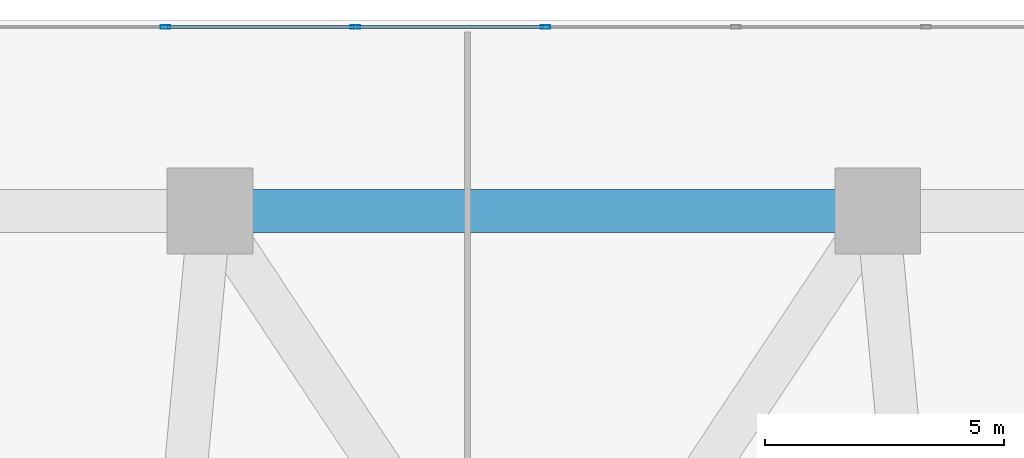
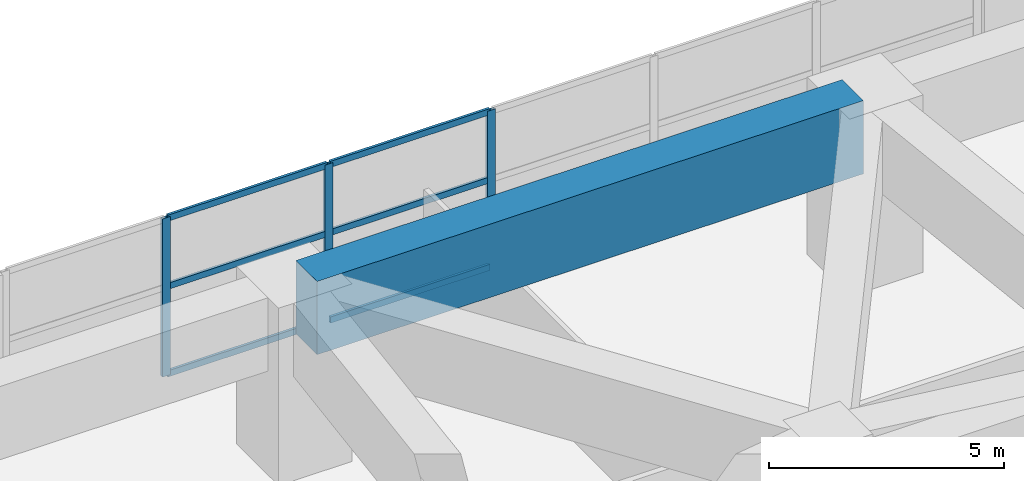
# One storey, part 14 of 27: 9 members, 1 beam, 1 element without a shape of its own.
"""IFC4 building model written with IfcOpenShell, lengths in metres."""

from ifc_helpers import new_model, si_unit, direction, frame, origin, origin_2d, place, context, subcontext, project, spatial, rectangle, hollow_rectangle, extrude, material, layer, layer_set, material_profile, profile_set, type_object, element, aggregate, save


model = new_model("IFC4")

# Units and contexts
model_context = context("Model", 3, precision=1e-05, world=origin(), true_north=direction((0.0, 1.0)))
body_context = subcontext(model_context, "Body", "Model", "MODEL_VIEW")
ifc_project = project(units=[si_unit("LENGTHUNIT", "METRE"), si_unit("AREAUNIT", "SQUARE_METRE"), si_unit("VOLUMEUNIT", "CUBIC_METRE"), si_unit("PLANEANGLEUNIT", "RADIAN"), si_unit("MASSUNIT", "GRAM", prefix="KILO")], contexts=[model_context])

# Site, building, storey
site_placement = place(None, origin())
site = spatial("IfcSite", under=ifc_project, at=site_placement, CompositionType="ELEMENT")
building_placement = place(site_placement, origin())
building = spatial("IfcBuilding", under=site, at=building_placement, Name="Solvane Sanctuary Tower", CompositionType="ELEMENT")
storey_placement = place(building_placement, frame((0.0, 0.0, 23.0)))
storey = spatial("IfcBuildingStorey", under=building, at=storey_placement, Name="L06", CompositionType="ELEMENT", Elevation=23.0)

# Beam
ifc_material_1 = material(Name="Concrete C60/75", Category="concrete")
ifc_material_profile_1 = material_profile(ifc_material_1, rectangle(XDim=0.89990234375, YDim=1.89990234375, at=origin_2d()), Name="RC900X1900")
ifc_profile_set_1 = profile_set([ifc_material_profile_1], Name="Concrete C60/75")
beam_type = type_object("IfcBeamType", Name="Beam B-XFER-POD RC900X1900", PredefinedType="BEAM", material=ifc_profile_set_1)
beam_placement = place(storey_placement, frame((38.699951171875, 42.0, 3.64990234375), z_axis=(-1.0, 0.0, 0.0), x_axis=(0.0, -1.0, 0.0)))
element("IfcBeam", 1, at=beam_placement, inside=storey, type_object=beam_type, Name="L06 Podium Transfer Girder XP06", PredefinedType="BEAM", context=body_context, shape_type="SweptSolid", body=[
    extrude(rectangle(XDim=0.89990234375, YDim=1.89990234375, at=origin_2d()), origin(), (0.0, 0.0, 1.0), 13.39990234375),
])

# Curtain wall, members
ifc_material_2 = material(Name="Anodised Aluminium 6063-T6", Category="aluminium")
ifc_layer = layer(ifc_material_2, 0.159912109375, Name="Anodised Aluminium 6063-T6")
ifc_layer_set = layer_set([ifc_layer], Name="Anodised Aluminium 6063-T6")
curtain_wall_type = type_object("IfcCurtainWallType", Name="Curtain Wall CW-POD", PredefinedType="NOTDEFINED", material=ifc_layer_set)
curtain_wall_placement = place(storey_placement, origin())
curtain_wall = element("IfcCurtainWall", 2, at=curtain_wall_placement, inside=storey, type_object=curtain_wall_type, Name="L06 Sanctuary Curtain Wall N2", PredefinedType="NOTDEFINED")
ifc_material_profile_2 = material_profile(ifc_material_2, hollow_rectangle(XDim=0.074951171875, YDim=0.199951171875, WallThickness=0.00390625, at=origin_2d()), Name="ALU200X75X4")
ifc_profile_set_2 = profile_set([ifc_material_profile_2], Name="Anodised Aluminium 6063-T6")
member_type_1 = type_object("IfcMemberType", Name="Member M-CW-MUL-1 ALU200X75X4", PredefinedType="MULLION", material=ifc_profile_set_2)
member_1_placement = place(storey_placement, frame((32.0400390625, 45.85009765625, 0.0), z_axis=(0.0, 0.0, 1.0), x_axis=(0.0, -1.0, 0.0)))
member_1 = element("IfcMember", 3, at=member_1_placement, type_object=member_type_1, Name="CW-POD mullion 4", PredefinedType="MULLION", context=body_context, shape_type="SweptSolid", body=[
    extrude(hollow_rectangle(XDim=0.074951171875, YDim=0.199951171875, WallThickness=0.00390625, at=origin_2d()), origin(), (0.0, 0.0, 1.0), 4.10009765625),
])
member_2_placement = place(storey_placement, frame((28.05322265625, 45.85009765625, 0.0), z_axis=(0.0, 0.0, 1.0), x_axis=(0.0, -1.0, 0.0)))
member_2 = element("IfcMember", 4, at=member_2_placement, type_object=member_type_1, Name="CW-POD mullion 5", PredefinedType="MULLION", context=body_context, shape_type="SweptSolid", body=[
    extrude(hollow_rectangle(XDim=0.074951171875, YDim=0.199951171875, WallThickness=0.00390625, at=origin_2d()), origin(), (0.0, 0.0, 1.0), 4.10009765625),
])
member_3_placement = place(storey_placement, frame((24.066650390625, 45.85009765625, 0.0), z_axis=(0.0, 0.0, 1.0), x_axis=(0.0, -1.0, 0.0)))
member_3 = element("IfcMember", 5, at=member_3_placement, type_object=member_type_1, Name="CW-POD mullion 6", PredefinedType="MULLION", context=body_context, shape_type="SweptSolid", body=[
    extrude(hollow_rectangle(XDim=0.074951171875, YDim=0.199951171875, WallThickness=0.00390625, at=origin_2d()), origin(), (0.0, 0.0, 1.0), 4.10009765625),
])
ifc_material_profile_3 = material_profile(ifc_material_2, hollow_rectangle(XDim=0.06494140625, YDim=0.159912109375, WallThickness=0.00341796875, at=origin_2d()), Name="ALU160X65X3.5")
ifc_profile_set_3 = profile_set([ifc_material_profile_3], Name="Anodised Aluminium 6063-T6")
member_type_2 = type_object("IfcMemberType", Name="Member M-CW-TRN-1 ALU160X65X3.5", PredefinedType="USERDEFINED", material=ifc_profile_set_3)
member_4_placement = place(storey_placement, frame((32.00244140625, 45.85009765625, 0.032470703125), z_axis=(-1.0, 0.0, 0.0), x_axis=(0.0, -1.0, 0.0)))
member_4 = element("IfcMember", 6, at=member_4_placement, type_object=member_type_2, Name="CW-POD transom 4.1", ObjectType="TRANSOM", PredefinedType="USERDEFINED", context=body_context, shape_type="SweptSolid", body=[
    extrude(hollow_rectangle(XDim=0.06494140625, YDim=0.159912109375, WallThickness=0.00341796875, at=origin_2d()), origin(), (0.0, 0.0, 1.0), 3.91162109375),
])
member_5_placement = place(storey_placement, frame((32.00244140625, 45.85009765625, 2.300048828125), z_axis=(-1.0, 0.0, 0.0), x_axis=(0.0, -1.0, 0.0)))
member_5 = element("IfcMember", 7, at=member_5_placement, type_object=member_type_2, Name="CW-POD transom 4.2", ObjectType="TRANSOM", PredefinedType="USERDEFINED", context=body_context, shape_type="SweptSolid", body=[
    extrude(hollow_rectangle(XDim=0.06494140625, YDim=0.159912109375, WallThickness=0.00341796875, at=origin_2d()), origin(), (0.0, 0.0, 1.0), 3.91162109375),
])
member_6_placement = place(storey_placement, frame((32.00244140625, 45.85009765625, 4.0673828125), z_axis=(-1.0, 0.0, 0.0), x_axis=(0.0, -1.0, 0.0)))
member_6 = element("IfcMember", 8, at=member_6_placement, type_object=member_type_2, Name="CW-POD transom 4.3", ObjectType="TRANSOM", PredefinedType="USERDEFINED", context=body_context, shape_type="SweptSolid", body=[
    extrude(hollow_rectangle(XDim=0.06494140625, YDim=0.159912109375, WallThickness=0.00341796875, at=origin_2d()), origin(), (0.0, 0.0, 1.0), 3.91162109375),
])
member_7_placement = place(storey_placement, frame((28.015869140625, 45.85009765625, 0.032470703125), z_axis=(-1.0, 0.0, 0.0), x_axis=(0.0, -1.0, 0.0)))
member_7 = element("IfcMember", 9, at=member_7_placement, type_object=member_type_2, Name="CW-POD transom 5.1", ObjectType="TRANSOM", PredefinedType="USERDEFINED", context=body_context, shape_type="SweptSolid", body=[
    extrude(hollow_rectangle(XDim=0.06494140625, YDim=0.159912109375, WallThickness=0.00341796875, at=origin_2d()), origin(), (0.0, 0.0, 1.0), 3.91162109375),
])
member_8_placement = place(storey_placement, frame((28.015869140625, 45.85009765625, 2.300048828125), z_axis=(-1.0, 0.0, 0.0), x_axis=(0.0, -1.0, 0.0)))
member_8 = element("IfcMember", 10, at=member_8_placement, type_object=member_type_2, Name="CW-POD transom 5.2", ObjectType="TRANSOM", PredefinedType="USERDEFINED", context=body_context, shape_type="SweptSolid", body=[
    extrude(hollow_rectangle(XDim=0.06494140625, YDim=0.159912109375, WallThickness=0.00341796875, at=origin_2d()), origin(), (0.0, 0.0, 1.0), 3.91162109375),
])
member_9_placement = place(storey_placement, frame((28.015869140625, 45.85009765625, 4.0673828125), z_axis=(-1.0, 0.0, 0.0), x_axis=(0.0, -1.0, 0.0)))
member_9 = element("IfcMember", 11, at=member_9_placement, type_object=member_type_2, Name="CW-POD transom 5.3", ObjectType="TRANSOM", PredefinedType="USERDEFINED", context=body_context, shape_type="SweptSolid", body=[
    extrude(hollow_rectangle(XDim=0.06494140625, YDim=0.159912109375, WallThickness=0.00341796875, at=origin_2d()), origin(), (0.0, 0.0, 1.0), 3.91162109375),
])
aggregate(curtain_wall, [member_1, member_2, member_3, member_4, member_5, member_6, member_7, member_8, member_9])

save(model, "model.ifc")
